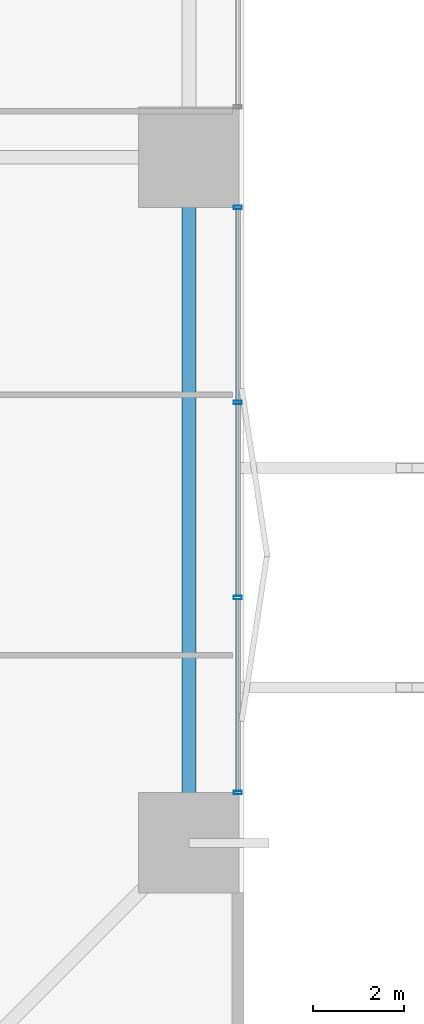
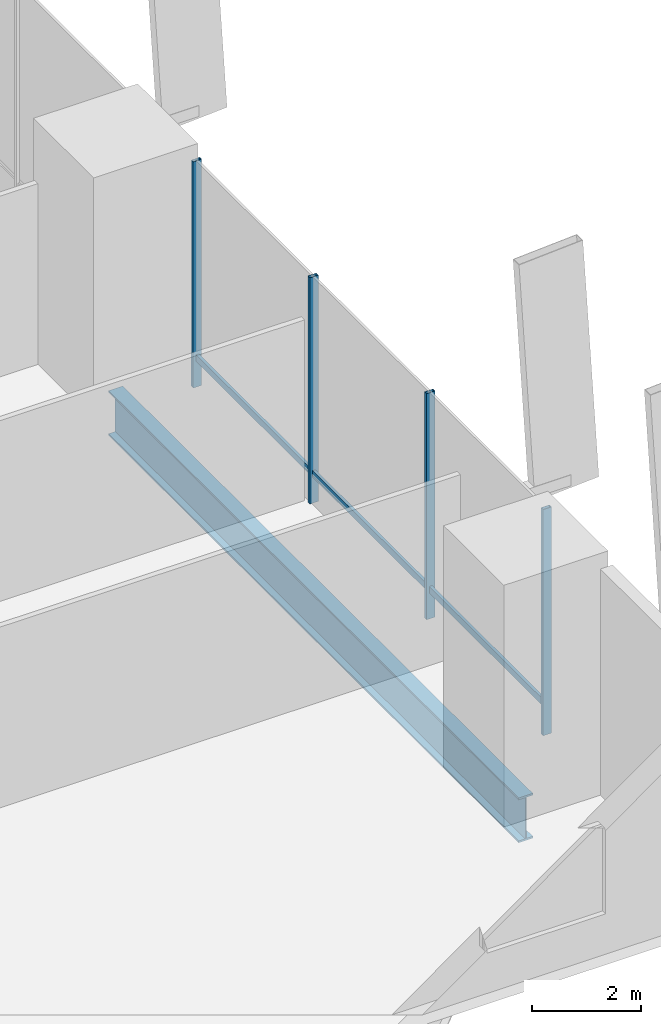
# One storey, part 8 of 24: 7 members, 1 beam, 1 element without a shape of its own.
"""IFC4 building model written with IfcOpenShell, lengths in metres."""

import ifcopenshell
import ifcopenshell.guid

model = None  # the IFC model being written
_history = None  # IfcOwnerHistory: only IFC2X3 demands one
_inside = {}  # id of a spatial element -> (the spatial element, [elements in it])
_under = {}  # id of a project, library or spatial element -> (it, [spatial elements below it])
_declared = {}  # id of a project -> (the project, [libraries it declares])
_typed = {}  # id of a type object -> (the type object, [elements of that type])
_made_of = {}  # id of a material, layer set ... -> (it, [elements and type objects made of it])


def new_model(schema):
    """Start an empty IFC model of exactly this schema.

    Asked for "IFC4X3", IfcOpenShell would pick the latest addendum, in which some entities
    have other attributes; the version numbers below select the first issue.
    IFC2X3 requires an IfcOwnerHistory on every rooted entity: one is made here for all.
    """
    global model, _history
    if schema == "IFC4X3":
        model = ifcopenshell.file(schema_version=(4, 3, 0, 0))
    else:
        model = ifcopenshell.file(schema=schema)
    _inside.clear()
    _under.clear()
    _declared.clear()
    _typed.clear()
    _made_of.clear()
    _history = None
    if model.schema == "IFC2X3":
        org = make("IfcOrganization", Name="unknown")
        user = make(
            "IfcPersonAndOrganization",
            ThePerson=make("IfcPerson", FamilyName="unknown"),
            TheOrganization=org,
        )
        app = make(
            "IfcApplication",
            ApplicationDeveloper=org,
            Version="unknown",
            ApplicationFullName="unknown",
            ApplicationIdentifier="unknown",
        )
        _history = make(
            "IfcOwnerHistory",
            OwningUser=user,
            OwningApplication=app,
            ChangeAction="ADDED",
            CreationDate=0,
        )
    return model


def make(cls, **values):
    """One entity of the class cls with the attributes given. An attribute that is None is left unset."""
    return model.create_entity(
        cls, **{name: value for name, value in values.items() if value is not None}
    )


def rooted(cls, **values):
    """An entity with a GlobalId (a new one), such as an element, a storey or a relation."""
    return make(cls, GlobalId=ifcopenshell.guid.new(), OwnerHistory=_history, **values)


def si_unit(unit_type, name, prefix=None):
    """IfcSIUnit, for example si_unit("LENGTHUNIT", "METRE", prefix="MILLI")."""
    return make("IfcSIUnit", UnitType=unit_type, Prefix=prefix, Name=name)


def assignment(units):
    """IfcUnitAssignment: the units of a project."""
    return None if units is None else make("IfcUnitAssignment", Units=units)


def point(xyz):
    """IfcCartesianPoint."""
    return None if xyz is None else make("IfcCartesianPoint", Coordinates=xyz)


def direction(xyz):
    """IfcDirection."""
    return None if xyz is None else make("IfcDirection", DirectionRatios=xyz)


def frame(location, z_axis=None, x_axis=None):
    """IfcAxis2Placement3D, a coordinate frame: its origin and axes. An axis left out is left unset."""
    return make(
        "IfcAxis2Placement3D",
        Location=point(location),
        Axis=direction(z_axis),
        RefDirection=direction(x_axis),
    )


def frame_2d(location, x_axis=None):
    """IfcAxis2Placement2D, a coordinate frame in the plane: its origin and x axis."""
    return make(
        "IfcAxis2Placement2D", Location=point(location), RefDirection=direction(x_axis)
    )


def origin():
    """The frame at (0, 0, 0) with its axes left unset."""
    return frame((0.0, 0.0, 0.0))


def origin_2d():
    """The frame at (0, 0) in the plane with its x axis left unset."""
    return frame_2d((0.0, 0.0))


def place(relative_to, where):
    """IfcLocalPlacement: puts the frame where relative to a parent placement (None: the world)."""
    return make(
        "IfcLocalPlacement", PlacementRelTo=relative_to, RelativePlacement=where
    )


def context(
    kind, dimensions, precision=None, world=None, true_north=None, identifier=None
):
    """IfcGeometricRepresentationContext, for example the 3D "Model" context."""
    return make(
        "IfcGeometricRepresentationContext",
        ContextIdentifier=identifier,
        ContextType=kind,
        CoordinateSpaceDimension=dimensions,
        Precision=precision,
        WorldCoordinateSystem=world,
        TrueNorth=true_north,
    )


def subcontext(parent, identifier, kind, view, scale=None):
    """IfcGeometricRepresentationSubContext, for example "Body" below "Model"."""
    return make(
        "IfcGeometricRepresentationSubContext",
        ContextIdentifier=identifier,
        ContextType=kind,
        ParentContext=parent,
        TargetScale=scale,
        TargetView=view,
    )


def project(units=None, contexts=None):
    """IfcProject with its units and contexts."""
    return rooted(
        "IfcProject",
        Name="project",
        RepresentationContexts=contexts,
        UnitsInContext=assignment(units),
    )


def spatial(cls, under=None, at=None, **own):
    """A site, building, storey or space (cls), placed at a placement, below another one or the project."""
    s = rooted(cls, ObjectPlacement=at, **own)
    if under is not None:
        _under.setdefault(under.id(), (under, []))[1].append(s)
    return s


def profile(cls, at=None, kind="AREA", **sizes):
    """A parametric profile (cls). Its sizes go by their IFC names, for example OverallWidth=200.0."""
    return make(cls, ProfileType=kind, Position=at, **sizes)


def hollow_rectangle(**sizes):
    """IfcRectangleHollowProfileDef."""
    return profile("IfcRectangleHollowProfileDef", **sizes)


def i_section(**sizes):
    """IfcIShapeProfileDef."""
    return profile("IfcIShapeProfileDef", **sizes)


def extrude(swept, where, along, depth):
    """IfcExtrudedAreaSolid: the profile swept, set in the frame where, extruded along a direction by depth."""
    return make(
        "IfcExtrudedAreaSolid",
        SweptArea=swept,
        Position=where,
        ExtrudedDirection=direction(along),
        Depth=depth,
    )


def shape(context_of_items, identifier, shape_type, items):
    """IfcShapeRepresentation: the items that make up one representation, for example the "Body"."""
    return make(
        "IfcShapeRepresentation",
        ContextOfItems=context_of_items,
        RepresentationIdentifier=identifier,
        RepresentationType=shape_type,
        Items=items,
    )


def material(Name=None, Category=None):
    """IfcMaterial."""
    return make("IfcMaterial", Name=Name, Category=Category)


def layer(
    of_material, thickness, ventilated=None, Name=None, Category=None, Priority=None
):
    """IfcMaterialLayer: one layer of a wall or slab, of a material (None: an air gap)."""
    return make(
        "IfcMaterialLayer",
        Material=of_material,
        LayerThickness=thickness,
        IsVentilated=ventilated,
        Name=Name,
        Category=Category,
        Priority=Priority,
    )


def layer_set(layers, Name=None):
    """IfcMaterialLayerSet."""
    return make("IfcMaterialLayerSet", MaterialLayers=layers, LayerSetName=Name)


def material_profile(
    of_material, cross_section, Name=None, Category=None, Priority=None
):
    """IfcMaterialProfile: a cross section and its material."""
    return make(
        "IfcMaterialProfile",
        Name=Name,
        Material=of_material,
        Profile=cross_section,
        Priority=Priority,
        Category=Category,
    )


def profile_set(profiles, Name=None, composite=None):
    """IfcMaterialProfileSet."""
    return make(
        "IfcMaterialProfileSet",
        Name=Name,
        MaterialProfiles=profiles,
        CompositeProfile=composite,
    )


def made_of(thing, what):
    """Note that an element or type object is made of a material, layer set ...; save() writes the relation."""
    if what is not None:
        _made_of.setdefault(what.id(), (what, []))[1].append(thing)
    return thing


def type_object(cls, material=None, **own):
    """A type object (cls), such as IfcWallType, which elements share."""
    return made_of(rooted(cls, **own), material)


def element(
    cls,
    number,
    at=None,
    inside=None,
    cuts=None,
    type_object=None,
    material=None,
    context=None,
    identifier="Body",
    shape_type=None,
    held_by="IfcProductDefinitionShape",
    body=None,
    shapes=None,
    **own,
):
    """One element of the class cls, such as IfcWall. Its Tag is "e" and its number.

    at: its placement. inside: the storey or other place that contains it. cuts: it is an
    opening in that element (IfcRelVoidsElement). A single representation is given by context,
    identifier, shape_type and body (its items); several are given by shapes. held_by: the class
    of the entity that holds the representations. save() writes the other relations.
    """
    e = rooted(cls, Tag="e%d" % number, ObjectPlacement=at, **own)
    if body is not None:
        shapes = [shape(context, identifier, shape_type, body)]
    if shapes is not None:
        e.Representation = make(held_by, Representations=shapes)
    if inside is not None:
        _inside.setdefault(inside.id(), (inside, []))[1].append(e)
    if cuts is not None:
        rooted(
            "IfcRelVoidsElement", RelatingBuildingElement=cuts, RelatedOpeningElement=e
        )
    if type_object is not None:
        _typed.setdefault(type_object.id(), (type_object, []))[1].append(e)
    return made_of(e, material)


def aggregate(whole, parts):
    """IfcRelAggregates: a whole, such as a stair, and the parts it consists of."""
    return rooted("IfcRelAggregates", RelatingObject=whole, RelatedObjects=parts)


def save(model, path):
    """Write the relations noted so far, then the file.

    IfcRelAggregates (storeys below a building ...), IfcRelContainedInSpatialStructure (elements
    in a storey), IfcRelDefinesByType, IfcRelAssociatesMaterial and IfcRelDeclares: one each for
    every whole, place, type object, material and project.
    """
    for whole, parts in _under.values():
        aggregate(whole, parts)
    for where, things in _inside.values():
        rooted(
            "IfcRelContainedInSpatialStructure",
            RelatedElements=things,
            RelatingStructure=where,
        )
    for kind, things in _typed.values():
        rooted("IfcRelDefinesByType", RelatedObjects=things, RelatingType=kind)
    for what, things in _made_of.values():
        rooted("IfcRelAssociatesMaterial", RelatedObjects=things, RelatingMaterial=what)
    for by, libraries in _declared.values():
        rooted("IfcRelDeclares", RelatingContext=by, RelatedDefinitions=libraries)
    model.write(path)


model = new_model("IFC4")

# Units and contexts
model_context = context("Model", 3, precision=1e-05, world=origin(), true_north=direction((0.0, 1.0)))
body_context = subcontext(model_context, "Body", "Model", "MODEL_VIEW")
ifc_project = project(units=[si_unit("LENGTHUNIT", "METRE"), si_unit("AREAUNIT", "SQUARE_METRE"), si_unit("VOLUMEUNIT", "CUBIC_METRE"), si_unit("PLANEANGLEUNIT", "RADIAN"), si_unit("MASSUNIT", "GRAM", prefix="KILO")], contexts=[model_context])

# Site, building, storey
site_placement = place(None, origin())
site = spatial("IfcSite", under=ifc_project, at=site_placement, CompositionType="ELEMENT")
building_placement = place(site_placement, origin())
building = spatial("IfcBuilding", under=site, at=building_placement, Name="Belovzor Exchange Tower", CompositionType="ELEMENT")
storey_placement = place(building_placement, frame((0.0, 0.0, 13.800048828125)))
storey = spatial("IfcBuildingStorey", under=building, at=storey_placement, Name="L03", CompositionType="ELEMENT", Elevation=13.800048828125)

# Beam
ifc_material_1 = material(Name="Steel S460", Category="steel")
ifc_material_profile_1 = material_profile(ifc_material_1, i_section(OverallWidth=0.300048828125, OverallDepth=1.0, WebThickness=0.02099609375, FlangeThickness=0.0400390625, at=origin_2d()))
ifc_profile_set_1 = profile_set([ifc_material_profile_1], Name="Steel S460")
beam_type = type_object("IfcBeamType", Name="Podium Exchange Hall Ring Girder HEM 1000", PredefinedType="BEAM", material=ifc_profile_set_1)
beam_placement = place(storey_placement, frame((55.800048828125, 13.800048828125, -0.85009765625), z_axis=(0.0, 1.0, 0.0), x_axis=(-1.0, 0.0, 0.0)))
element("IfcBeam", 1, at=beam_placement, inside=storey, type_object=beam_type, Name="PG-1 Podium Exchange Hall Ring Girder HEM 1000", PredefinedType="BEAM", context=body_context, shape_type="SweptSolid", body=[
    extrude(i_section(OverallWidth=0.300048828125, OverallDepth=1.0, WebThickness=0.02099609375, FlangeThickness=0.0400390625, at=origin_2d()), origin(), (0.0, 0.0, 1.0), 15.0),
])

# Curtain wall, members
ifc_material_2 = material(Name="Anodised Aluminium Framing", Category="aluminium")
ifc_layer = layer(ifc_material_2, 0.219970703125)
ifc_layer_set = layer_set([ifc_layer], Name="Anodised Aluminium Framing")
curtain_wall_type = type_object("IfcCurtainWallType", Name="Podium Clear-Span Exchange Hall Unitised Curtain Wall", PredefinedType="NOTDEFINED", material=ifc_layer_set)
curtain_wall_placement = place(storey_placement, origin())
curtain_wall = element("IfcCurtainWall", 2, at=curtain_wall_placement, inside=storey, type_object=curtain_wall_type, Name="CW1 Podium Clear-Span Exchange Hall Unitised Curtain Wall L03", PredefinedType="NOTDEFINED")
ifc_material_3 = material(Name="Steel S355", Category="steel")
ifc_material_profile_2 = material_profile(ifc_material_3, hollow_rectangle(XDim=0.074951171875, YDim=0.179931640625, WallThickness=0.0048828125, at=origin_2d()))
ifc_profile_set_2 = profile_set([ifc_material_profile_2], Name="Steel S355")
member_type_1 = type_object("IfcMemberType", Name="Thermally Broken Curtain Wall Mullion 180x75", PredefinedType="MULLION", material=ifc_profile_set_2)
member_1_placement = place(storey_placement, frame((56.8701171875, 27.699951171875, 0.0), z_axis=(0.0, 0.0, 1.0), x_axis=(0.0, -1.0, 0.0)))
member_1 = element("IfcMember", 3, at=member_1_placement, type_object=member_type_1, Name="CW-M180 Curtain Wall Mullion 1", PredefinedType="MULLION", context=body_context, shape_type="SweptSolid", body=[
    extrude(hollow_rectangle(XDim=0.074951171875, YDim=0.179931640625, WallThickness=0.0048828125, at=origin_2d()), origin(), (0.0, 0.0, 1.0), 5.050048828125),
])
member_2_placement = place(storey_placement, frame((56.8701171875, 23.43310546875, 0.0), z_axis=(0.0, 0.0, 1.0), x_axis=(0.0, -1.0, 0.0)))
member_2 = element("IfcMember", 4, at=member_2_placement, type_object=member_type_1, Name="CW-M180 Curtain Wall Mullion 2", PredefinedType="MULLION", context=body_context, shape_type="SweptSolid", body=[
    extrude(hollow_rectangle(XDim=0.074951171875, YDim=0.179931640625, WallThickness=0.0048828125, at=origin_2d()), origin(), (0.0, 0.0, 1.0), 5.050048828125),
])
member_3_placement = place(storey_placement, frame((56.8701171875, 19.1669921875, 0.0), z_axis=(0.0, 0.0, 1.0), x_axis=(0.0, -1.0, 0.0)))
member_3 = element("IfcMember", 5, at=member_3_placement, type_object=member_type_1, Name="CW-M180 Curtain Wall Mullion 3", PredefinedType="MULLION", context=body_context, shape_type="SweptSolid", body=[
    extrude(hollow_rectangle(XDim=0.074951171875, YDim=0.179931640625, WallThickness=0.0048828125, at=origin_2d()), origin(), (0.0, 0.0, 1.0), 5.050048828125),
])
member_4_placement = place(storey_placement, frame((56.8701171875, 14.89990234375, 0.0), z_axis=(0.0, 0.0, 1.0), x_axis=(0.0, -1.0, 0.0)))
member_4 = element("IfcMember", 6, at=member_4_placement, type_object=member_type_1, Name="CW-M180 Curtain Wall Mullion 4", PredefinedType="MULLION", context=body_context, shape_type="SweptSolid", body=[
    extrude(hollow_rectangle(XDim=0.074951171875, YDim=0.179931640625, WallThickness=0.0048828125, at=origin_2d()), origin(), (0.0, 0.0, 1.0), 5.050048828125),
])
ifc_material_4 = material(Name="Steel S355", Category="steel")
ifc_material_profile_3 = material_profile(ifc_material_4, hollow_rectangle(XDim=0.06005859375, YDim=0.14990234375, WallThickness=0.00390625, at=origin_2d()))
ifc_profile_set_3 = profile_set([ifc_material_profile_3], Name="Steel S355")
member_type_2 = type_object("IfcMemberType", Name="Thermally Broken Curtain Wall Transom 150x60", PredefinedType="USERDEFINED", material=ifc_profile_set_3)
member_5_placement = place(storey_placement, frame((56.8701171875, 27.69189453125, 0.64990234375), z_axis=(0.0, -1.0, 0.0), x_axis=(1.0, 0.0, 0.0)))
member_5 = element("IfcMember", 7, at=member_5_placement, type_object=member_type_2, Name="CW-T150 Curtain Wall Transom 1", ObjectType="TRANSOM", PredefinedType="USERDEFINED", context=body_context, shape_type="SweptSolid", body=[
    extrude(hollow_rectangle(XDim=0.06005859375, YDim=0.14990234375, WallThickness=0.00390625, at=origin_2d()), origin(), (0.0, 0.0, 1.0), 4.2509765625),
])
member_6_placement = place(storey_placement, frame((56.8701171875, 23.425048828125, 0.64990234375), z_axis=(0.0, -1.0, 0.0), x_axis=(1.0, 0.0, 0.0)))
member_6 = element("IfcMember", 8, at=member_6_placement, type_object=member_type_2, Name="CW-T150 Curtain Wall Transom 2", ObjectType="TRANSOM", PredefinedType="USERDEFINED", context=body_context, shape_type="SweptSolid", body=[
    extrude(hollow_rectangle(XDim=0.06005859375, YDim=0.14990234375, WallThickness=0.00390625, at=origin_2d()), origin(), (0.0, 0.0, 1.0), 4.25),
])
member_7_placement = place(storey_placement, frame((56.8701171875, 19.158935546875, 0.64990234375), z_axis=(0.0, -1.0, 0.0), x_axis=(1.0, 0.0, 0.0)))
member_7 = element("IfcMember", 9, at=member_7_placement, type_object=member_type_2, Name="CW-T150 Curtain Wall Transom 3", ObjectType="TRANSOM", PredefinedType="USERDEFINED", context=body_context, shape_type="SweptSolid", body=[
    extrude(hollow_rectangle(XDim=0.06005859375, YDim=0.14990234375, WallThickness=0.00390625, at=origin_2d()), origin(), (0.0, 0.0, 1.0), 4.2509765625),
])
aggregate(curtain_wall, [member_1, member_2, member_3, member_4, member_5, member_6, member_7])

save(model, "model.ifc")
